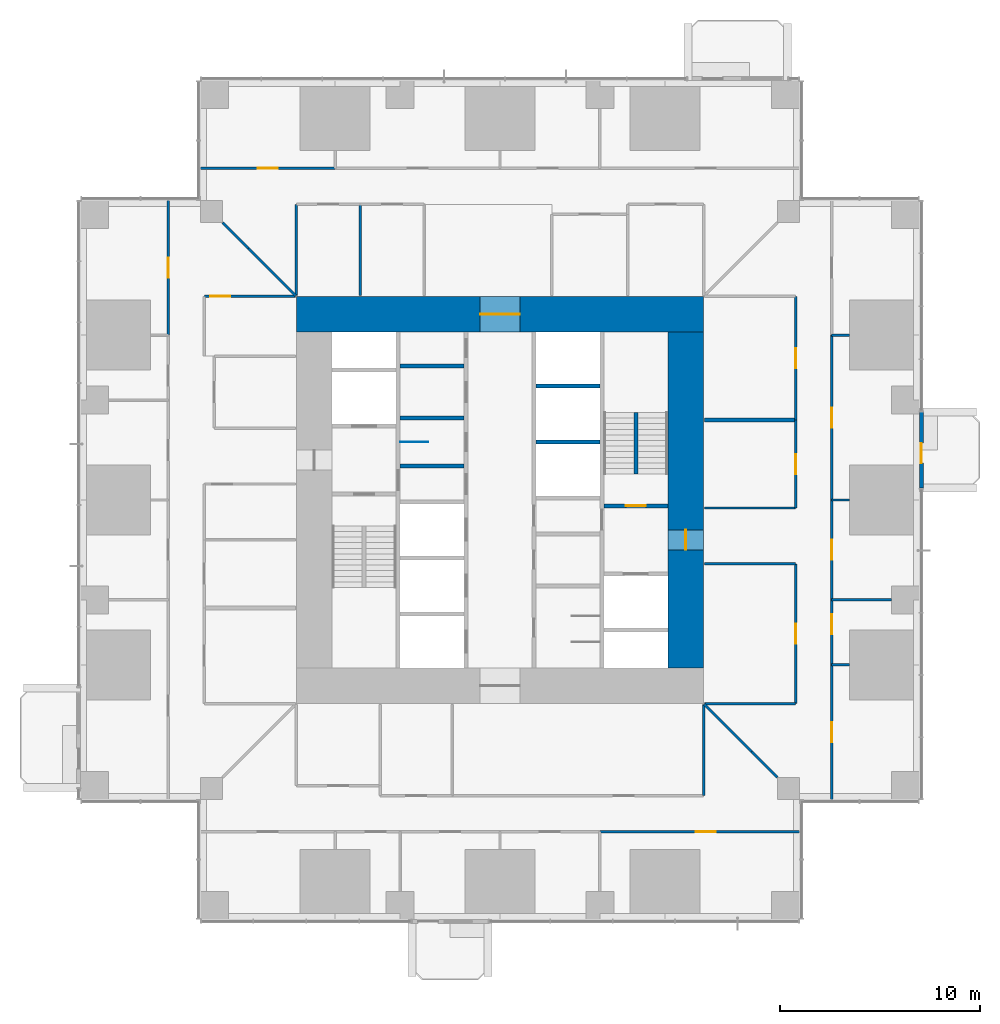
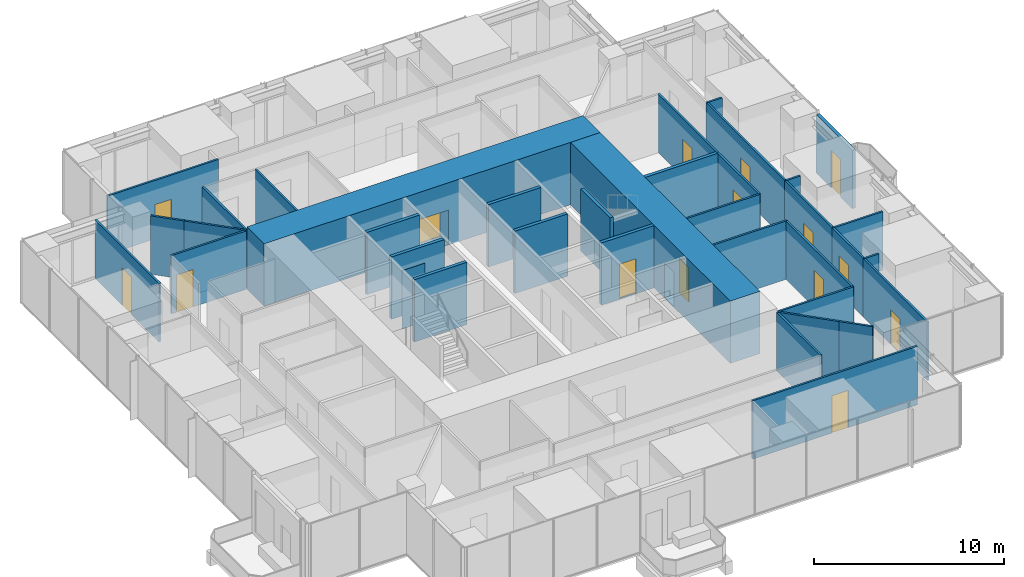
# One storey, part 13 of 18: 37 walls, 15 doors, 15 openings.
"""IFC4 building model written with IfcOpenShell, lengths in metres."""

from ifc_helpers import new_model, si_unit, direction, frame, frame_2d, origin, place, context, subcontext, project, spatial, rectangle, extrude, material, layer, layer_set, type_object, element, fill, save


model = new_model("IFC4")

# Units and contexts
model_context = context("Model", 3, precision=1e-05, world=origin(), true_north=direction((0.0, 1.0)))
body_context = subcontext(model_context, "Body", "Model", "MODEL_VIEW")
ifc_project = project(units=[si_unit("LENGTHUNIT", "METRE"), si_unit("AREAUNIT", "SQUARE_METRE"), si_unit("VOLUMEUNIT", "CUBIC_METRE"), si_unit("PLANEANGLEUNIT", "RADIAN"), si_unit("MASSUNIT", "GRAM", prefix="KILO")], contexts=[model_context])

# Site, building, storey
site_placement = place(None, origin())
site = spatial("IfcSite", under=ifc_project, at=site_placement, CompositionType="ELEMENT")
building_placement = place(site_placement, origin())
building = spatial("IfcBuilding", under=site, at=building_placement, Name="Svetlomir Tower", CompositionType="ELEMENT")
storey_placement = place(building_placement, frame((0.0, 0.0, 78.5)))
storey = spatial("IfcBuildingStorey", under=building, at=storey_placement, Name="L18", CompositionType="ELEMENT", Elevation=78.5)

# Wall
ifc_material_1 = material(Name="Gypsum board on twin steel studs", Category="steel")
ifc_layer_1 = layer(ifc_material_1, 0.199951171875)
ifc_layer_set_1 = layer_set([ifc_layer_1], Name="Gypsum board on twin steel studs")
wall_type_1 = type_object("IfcWallType", Name="ACOUSTIC PARTITION 200", PredefinedType="PARTITIONING", material=ifc_layer_set_1)
wall_1_placement = place(storey_placement, frame((31.25, 25.0, 0.0), z_axis=(0.0, 0.0, 1.0), x_axis=(1.0, 0.0, 0.0)))
element("IfcWall", 1, at=wall_1_placement, inside=storey, type_object=wall_type_1, Name="Acoustic partition L18", PredefinedType="PARTITIONING", context=body_context, shape_type="SweptSolid", body=[
    extrude(rectangle(XDim=4.550048828125, YDim=0.199951171875, at=frame_2d((2.27490234375, 0.0))), origin(), (0.0, 0.0, 1.0), 3.75),
])

# Wall, opening, door
ifc_material_2 = material(Name="Bronze anodised aluminium glazed screen", Category="aluminium")
ifc_layer_2 = layer(ifc_material_2, 0.199951171875)
ifc_layer_set_2 = layer_set([ifc_layer_2], Name="Bronze anodised aluminium glazed screen")
wall_type_2 = type_object("IfcWallType", Name="BALCONY SCREEN WALL 200", PredefinedType="USERDEFINED", material=ifc_layer_set_2)
wall_2_placement = place(storey_placement, frame((42.10009765625, 21.60009765625, 0.0), z_axis=(0.0, 0.0, 1.0), x_axis=(0.0, 1.0, 0.0)))
wall_2 = element("IfcWall", 2, at=wall_2_placement, inside=storey, type_object=wall_type_2, Name="Balcony screen E", ObjectType="GLAZED SCREEN", PredefinedType="USERDEFINED", context=body_context, shape_type="SweptSolid", body=[
    extrude(rectangle(XDim=3.7998046875, YDim=0.199951171875, at=frame_2d((1.89990234375, 0.0))), origin(), (0.0, 0.0, 1.0), 3.75),
])
opening_1_placement = place(wall_2_placement, frame((1.25, 0.0, 0.0)))
opening_1 = element("IfcOpeningElement", 3, at=opening_1_placement, cuts=wall_2, Name="Opening BD", PredefinedType="OPENING", context=body_context, shape_type="SweptSolid", body=[
    extrude(rectangle(XDim=1.0, YDim=2.39990234375, at=frame_2d((0.5, 1.199951171875))), frame((0.0, 0.10986328125, 0.0), z_axis=(0.0, -1.0, 0.0), x_axis=(1.0, 0.0, 0.0)), (0.0, 0.0, 1.0), 0.219970703125),
])
ifc_material_3 = material(Name="Bronze anodised aluminium glazed door", Category="aluminium")
door_type_1 = type_object("IfcDoorType", Name="BALCONY DOOR BD 1000x2400", OperationType="SINGLE_SWING_LEFT", PredefinedType="DOOR", material=ifc_material_3)
door_1_placement = place(opening_1_placement, origin())
door_1 = element("IfcDoor", 4, at=door_1_placement, inside=storey, type_object=door_type_1, Name="Balcony screen E door", OperationType="SINGLE_SWING_LEFT", OverallHeight=2.39990234375, OverallWidth=1.0, PredefinedType="DOOR", context=body_context, shape_type="SweptSolid", body=[
    extrude(rectangle(XDim=1.0, YDim=2.39990234375, at=frame_2d((0.5, 1.199951171875))), frame((0.0, 0.02490234375, 0.0), z_axis=(0.0, -1.0, 0.0), x_axis=(1.0, 0.0, 0.0)), (0.0, 0.0, 1.0), 0.050048828125),
])
fill(opening_1, door_1)

# Walls
ifc_material_4 = material(Name="Concrete C60/75", Category="concrete")
ifc_layer_3 = layer(ifc_material_4, 0.199951171875)
ifc_layer_set_3 = layer_set([ifc_layer_3], Name="Concrete C60/75")
wall_type_3 = type_object("IfcWallType", Name="CORE INNER WALL 200", PredefinedType="SHEAR", material=ifc_layer_set_3)
for number, where, z_axis, x_axis, name in (
    (5, (16.0, 22.699951171875, -0.050048828125), (0.0, 0.0, 1.0), (1.0, 0.0, 0.0), "Core inner wall 16-19.2/22.7 L18"),
    (6, (16.0, 25.10009765625, -0.050048828125), (0.0, 0.0, 1.0), (1.0, 0.0, 0.0), "Core inner wall 16-19.2/25.1 L18"),
    (7, (16.0, 27.699951171875, -0.050048828125), (0.0, 0.0, 1.0), (1.0, 0.0, 0.0), "Core inner wall 16-19.2/27.7 L18"),
    (8, (22.800048828125, 23.89990234375, -0.050048828125), (0.0, 0.0, 1.0), (1.0, 0.0, 0.0), "Core inner wall 22.8-26/23.9 L18"),
    (9, (22.800048828125, 26.699951171875, -0.050048828125), (0.0, 0.0, 1.0), (1.0, 0.0, 0.0), "Core inner wall 22.8-26/26.7 L18"),
):
    element("IfcWall", number, at=place(storey_placement, frame(where, z_axis=z_axis, x_axis=x_axis)), inside=storey, type_object=wall_type_3, Name=name, PredefinedType="SHEAR", context=body_context, shape_type="SweptSolid", body=[
        extrude(rectangle(XDim=3.199951171875, YDim=0.199951171875, at=frame_2d((1.60009765625, 0.0))), origin(), (0.0, 0.0, 1.0), 4.0),
    ])

# Wall, opening, door
wall_3_placement = place(storey_placement, frame((26.199951171875, 20.699951171875, -0.050048828125), z_axis=(0.0, 0.0, 1.0), x_axis=(1.0, 0.0, 0.0)))
wall_3 = element("IfcWall", 10, at=wall_3_placement, inside=storey, type_object=wall_type_3, Name="Core inner wall 26.2-29.4/20.7 L18", PredefinedType="SHEAR", context=body_context, shape_type="SweptSolid", body=[
    extrude(rectangle(XDim=3.199951171875, YDim=0.199951171875, at=frame_2d((1.60009765625, 0.0))), origin(), (0.0, 0.0, 1.0), 4.0),
])
opening_2_placement = place(wall_3_placement, frame((1.10009765625, 0.0, 0.050048828125)))
opening_2 = element("IfcOpeningElement", 11, at=opening_2_placement, cuts=wall_3, Name="Opening DF", PredefinedType="OPENING", context=body_context, shape_type="SweptSolid", body=[
    extrude(rectangle(XDim=1.0, YDim=2.199951171875, at=frame_2d((0.5, 1.10009765625))), frame((0.0, 0.10986328125, 0.0), z_axis=(0.0, -1.0, 0.0), x_axis=(1.0, 0.0, 0.0)), (0.0, 0.0, 1.0), 0.219970703125),
])
ifc_material_5 = material(Name="Steel fire door", Category="steel")
door_type_2 = type_object("IfcDoorType", Name="DOOR DF 1000x2200", OperationType="SINGLE_SWING_LEFT", PredefinedType="DOOR", material=ifc_material_5)
door_2_placement = place(opening_2_placement, origin())
door_2 = element("IfcDoor", 12, at=door_2_placement, inside=storey, type_object=door_type_2, Name="Stair S2 door L18", OperationType="SINGLE_SWING_RIGHT", OverallHeight=2.199951171875, OverallWidth=1.0, PredefinedType="DOOR", context=body_context, shape_type="SweptSolid", body=[
    extrude(rectangle(XDim=1.0, YDim=2.199951171875, at=frame_2d((0.5, 1.10009765625))), frame((0.0, 0.02490234375, 0.0), z_axis=(0.0, -1.0, 0.0), x_axis=(1.0, 0.0, 0.0)), (0.0, 0.0, 1.0), 0.050048828125),
])
fill(opening_2, door_2)

ifc_material_6 = material(Name="Concrete C60/75", Category="concrete")
ifc_layer_4 = layer(ifc_material_6, 1.800048828125)
ifc_layer_set_4 = layer_set([ifc_layer_4], Name="Concrete C60/75")
wall_type_4 = type_object("IfcWallType", Name="CORE WALL 1800", PredefinedType="SHEAR", material=ifc_layer_set_4)
wall_4_placement = place(storey_placement, frame((10.800048828125, 30.300048828125, -0.050048828125), z_axis=(0.0, 0.0, 1.0), x_axis=(1.0, 0.0, 0.0)))
wall_4 = element("IfcWall", 13, at=wall_4_placement, inside=storey, type_object=wall_type_4, Name="Core wall north L18", PredefinedType="SHEAR", context=body_context, shape_type="SweptSolid", body=[
    extrude(rectangle(XDim=20.39990234375, YDim=1.800048828125, at=frame_2d((10.199951171875, 0.0))), origin(), (0.0, 0.0, 1.0), 4.0),
])
opening_3_placement = place(wall_4_placement, frame((9.199951171875, 0.0, 0.050048828125)))
opening_3 = element("IfcOpeningElement", 14, at=opening_3_placement, cuts=wall_4, Name="Opening DL", PredefinedType="OPENING", context=body_context, shape_type="SweptSolid", body=[
    extrude(rectangle(XDim=2.0, YDim=2.199951171875, at=frame_2d((1.0, 1.10009765625))), frame((0.0, 0.91015625, 0.0), z_axis=(0.0, -1.0, 0.0), x_axis=(1.0, 0.0, 0.0)), (0.0, 0.0, 1.0), 1.820068359375),
])
ifc_material_7 = material(Name="Steel fire door", Category="steel")
door_type_3 = type_object("IfcDoorType", Name="DOOR DL 2000x2200", OperationType="DOUBLE_DOOR_SINGLE_SWING", PredefinedType="DOOR", material=ifc_material_7)
door_3_placement = place(opening_3_placement, origin())
door_3 = element("IfcDoor", 15, at=door_3_placement, inside=storey, type_object=door_type_3, Name="Lift lobby north door L18", OperationType="DOUBLE_DOOR_SINGLE_SWING", OverallHeight=2.199951171875, OverallWidth=2.0, PredefinedType="DOOR", context=body_context, shape_type="SweptSolid", body=[
    extrude(rectangle(XDim=2.0, YDim=2.199951171875, at=frame_2d((1.0, 1.10009765625))), frame((0.0, 0.02490234375, 0.0), z_axis=(0.0, -1.0, 0.0), x_axis=(1.0, 0.0, 0.0)), (0.0, 0.0, 1.0), 0.050048828125),
])
fill(opening_3, door_3)

wall_5_placement = place(storey_placement, frame((30.300048828125, 12.60009765625, -0.050048828125), z_axis=(0.0, 0.0, 1.0), x_axis=(0.0, 1.0, 0.0)))
wall_5 = element("IfcWall", 16, at=wall_5_placement, inside=storey, type_object=wall_type_4, Name="Core wall east L18", PredefinedType="SHEAR", context=body_context, shape_type="SweptSolid", body=[
    extrude(rectangle(XDim=16.7998046875, YDim=1.800048828125, at=frame_2d((8.39990234375, 0.0))), origin(), (0.0, 0.0, 1.0), 4.0),
])
opening_4_placement = place(wall_5_placement, frame((5.89990234375, 0.0, 0.050048828125)))
opening_4 = element("IfcOpeningElement", 17, at=opening_4_placement, cuts=wall_5, Name="Opening DF", PredefinedType="OPENING", context=body_context, shape_type="SweptSolid", body=[
    extrude(rectangle(XDim=1.0, YDim=2.199951171875, at=frame_2d((0.5, 1.10009765625))), frame((0.0, 0.91015625, 0.0), z_axis=(0.0, -1.0, 0.0), x_axis=(1.0, 0.0, 0.0)), (0.0, 0.0, 1.0), 1.820068359375),
])
door_4_placement = place(opening_4_placement, origin())
door_4 = element("IfcDoor", 18, at=door_4_placement, inside=storey, type_object=door_type_2, Name="Firefighting lobby east door L18", OperationType="SINGLE_SWING_RIGHT", OverallHeight=2.199951171875, OverallWidth=1.0, PredefinedType="DOOR", context=body_context, shape_type="SweptSolid", body=[
    extrude(rectangle(XDim=1.0, YDim=2.199951171875, at=frame_2d((0.5, 1.10009765625))), frame((0.0, 0.02490234375, 0.0), z_axis=(0.0, -1.0, 0.0), x_axis=(1.0, 0.0, 0.0)), (0.0, 0.0, 1.0), 0.050048828125),
])
fill(opening_4, door_4)

ifc_material_8 = material(Name="Gypsum board on steel studs", Category="steel")
ifc_layer_5 = layer(ifc_material_8, 0.1201171875)
ifc_layer_set_5 = layer_set([ifc_layer_5], Name="Gypsum board on steel studs")
wall_type_5 = type_object("IfcWallType", Name="PARTITION 120", PredefinedType="PARTITIONING", material=ifc_layer_set_5)
wall_6_placement = place(storey_placement, frame((4.39990234375, 29.25, 0.0), z_axis=(0.0, 0.0, 1.0), x_axis=(0.0, 1.0, 0.0)))
wall_6 = element("IfcWall", 19, at=wall_6_placement, inside=storey, type_object=wall_type_5, Name="Partition L18", PredefinedType="PARTITIONING", context=body_context, shape_type="SweptSolid", body=[
    extrude(rectangle(XDim=6.75, YDim=0.1201171875, at=frame_2d((3.375, 0.0))), origin(), (0.0, 0.0, 1.0), 3.75),
])
opening_5_placement = place(wall_6_placement, frame((2.875, 0.0, 0.0)))
opening_5 = element("IfcOpeningElement", 20, at=opening_5_placement, cuts=wall_6, Name="Opening DG", PredefinedType="OPENING", context=body_context, shape_type="SweptSolid", body=[
    extrude(rectangle(XDim=1.0, YDim=2.39990234375, at=frame_2d((0.5, 1.199951171875))), frame((0.0, 0.070068359375, 0.0), z_axis=(0.0, -1.0, 0.0), x_axis=(1.0, 0.0, 0.0)), (0.0, 0.0, 1.0), 0.14013671875),
])
ifc_material_9 = material(Name="Framed laminated glass door", Category="glass")
door_type_4 = type_object("IfcDoorType", Name="GLAZED DOOR DG 1000x2400", OperationType="SINGLE_SWING_LEFT", PredefinedType="DOOR", material=ifc_material_9)
door_5_placement = place(opening_5_placement, origin())
door_5 = element("IfcDoor", 21, at=door_5_placement, inside=storey, type_object=door_type_4, Name="Ring corridor 3 door 3 L18", OperationType="SINGLE_SWING_LEFT", OverallHeight=2.39990234375, OverallWidth=1.0, PredefinedType="DOOR", context=body_context, shape_type="SweptSolid", body=[
    extrude(rectangle(XDim=1.0, YDim=2.39990234375, at=frame_2d((0.5, 1.199951171875))), frame((0.0, 0.02490234375, 0.0), z_axis=(0.0, -1.0, 0.0), x_axis=(1.0, 0.0, 0.0)), (0.0, 0.0, 1.0), 0.050048828125),
])
fill(opening_5, door_5)

wall_7_placement = place(storey_placement, frame((6.0, 37.60009765625, 0.0), z_axis=(0.0, 0.0, 1.0), x_axis=(1.0, 0.0, 0.0)))
wall_7 = element("IfcWall", 22, at=wall_7_placement, inside=storey, type_object=wall_type_5, Name="Partition L18", PredefinedType="PARTITIONING", context=body_context, shape_type="SweptSolid", body=[
    extrude(rectangle(XDim=6.75, YDim=0.1201171875, at=frame_2d((3.375, 0.0))), origin(), (0.0, 0.0, 1.0), 3.75),
])
opening_6_placement = place(wall_7_placement, frame((2.875, 0.0, 0.0)))
opening_6 = element("IfcOpeningElement", 23, at=opening_6_placement, cuts=wall_7, Name="Opening DR", PredefinedType="OPENING", context=body_context, shape_type="SweptSolid", body=[
    extrude(rectangle(XDim=1.0, YDim=2.199951171875, at=frame_2d((0.5, 1.10009765625))), frame((0.0, 0.070068359375, 0.0), z_axis=(0.0, -1.0, 0.0), x_axis=(1.0, 0.0, 0.0)), (0.0, 0.0, 1.0), 0.14013671875),
])
ifc_material_10 = material(Name="Timber door, glazed side light", Category="wood")
door_type_5 = type_object("IfcDoorType", Name="DOOR DR 1000x2200", OperationType="SINGLE_SWING_LEFT", PredefinedType="DOOR", material=ifc_material_10)
door_6_placement = place(opening_6_placement, origin())
door_6 = element("IfcDoor", 24, at=door_6_placement, inside=storey, type_object=door_type_5, Name="Compliance analysts office door L18", OperationType="SINGLE_SWING_RIGHT", OverallHeight=2.199951171875, OverallWidth=1.0, PredefinedType="DOOR", context=body_context, shape_type="SweptSolid", body=[
    extrude(rectangle(XDim=1.0, YDim=2.199951171875, at=frame_2d((0.5, 1.10009765625))), frame((0.0, 0.02490234375, 0.0), z_axis=(0.0, -1.0, 0.0), x_axis=(1.0, 0.0, 0.0)), (0.0, 0.0, 1.0), 0.050048828125),
])
fill(opening_6, door_6)

wall_8_placement = place(storey_placement, frame((6.199951171875, 31.199951171875, 0.0), z_axis=(0.0, 0.0, 1.0), x_axis=(1.0, 0.0, 0.0)))
wall_8 = element("IfcWall", 25, at=wall_8_placement, inside=storey, type_object=wall_type_5, Name="Partition L18", PredefinedType="PARTITIONING", context=body_context, shape_type="SweptSolid", body=[
    extrude(rectangle(XDim=4.550048828125, YDim=0.1201171875, at=frame_2d((2.27490234375, 0.0))), origin(), (0.0, 0.0, 1.0), 3.75),
])
opening_7_placement = place(wall_8_placement, frame((0.300048828125, 0.0, 0.0)))
opening_7 = element("IfcOpeningElement", 26, at=opening_7_placement, cuts=wall_8, Name="Opening DG", PredefinedType="OPENING", context=body_context, shape_type="SweptSolid", body=[
    extrude(rectangle(XDim=1.0, YDim=2.39990234375, at=frame_2d((0.5, 1.199951171875))), frame((0.0, 0.070068359375, 0.0), z_axis=(0.0, -1.0, 0.0), x_axis=(1.0, 0.0, 0.0)), (0.0, 0.0, 1.0), 0.14013671875),
])
door_7_placement = place(opening_7_placement, origin())
door_7 = element("IfcDoor", 27, at=door_7_placement, inside=storey, type_object=door_type_4, Name="Ring corridor 3 door 4 L18", OperationType="SINGLE_SWING_LEFT", OverallHeight=2.39990234375, OverallWidth=1.0, PredefinedType="DOOR", context=body_context, shape_type="SweptSolid", body=[
    extrude(rectangle(XDim=1.0, YDim=2.39990234375, at=frame_2d((0.5, 1.199951171875))), frame((0.0, 0.02490234375, 0.0), z_axis=(0.0, -1.0, 0.0), x_axis=(1.0, 0.0, 0.0)), (0.0, 0.0, 1.0), 0.050048828125),
])
fill(opening_7, door_7)

# Walls
wall_9_placement = place(storey_placement, frame((7.110107421875, 34.889892578125, 0.0), z_axis=(0.0, 0.0, 1.0), x_axis=(0.707106781187, -0.707106781187, 0.0)))
element("IfcWall", 28, at=wall_9_placement, inside=storey, type_object=wall_type_5, Name="Partition L18", PredefinedType="PARTITIONING", context=body_context, shape_type="SweptSolid", body=[
    extrude(rectangle(XDim=1.822021484375, YDim=0.1201171875, at=frame_2d((0.9111328125, 0.0))), origin(), (0.0, 0.0, 1.0), 3.75),
])
wall_10_placement = place(storey_placement, frame((8.3984375, 33.6015625, 0.0), z_axis=(0.0, 0.0, 1.0), x_axis=(0.707106781187, -0.707106781187, 0.0)))
element("IfcWall", 29, at=wall_10_placement, inside=storey, type_object=wall_type_5, Name="Partition L18", PredefinedType="PARTITIONING", context=body_context, shape_type="SweptSolid", body=[
    extrude(rectangle(XDim=3.346435546875, YDim=0.1201171875, at=frame_2d((1.67333984375, 0.0))), origin(), (0.0, 0.0, 1.0), 3.75),
])
for number, where, z_axis, x_axis, name in (
    (30, (10.800048828125, 31.25, 0.0), (0.0, 0.0, 1.0), (0.0, 1.0, 0.0), "Partition L18"),
    (31, (14.0, 31.25, 0.0), (0.0, 0.0, 1.0), (0.0, 1.0, 0.0), "Partition L18"),
):
    element("IfcWall", number, at=place(storey_placement, frame(where, z_axis=z_axis, x_axis=x_axis)), inside=storey, type_object=wall_type_5, Name=name, PredefinedType="PARTITIONING", context=body_context, shape_type="SweptSolid", body=[
        extrude(rectangle(XDim=4.550048828125, YDim=0.1201171875, at=frame_2d((2.27490234375, 0.0))), origin(), (0.0, 0.0, 1.0), 3.75),
    ])

# Wall, opening, door
wall_11_placement = place(storey_placement, frame((26.0, 4.39990234375, 0.0), z_axis=(0.0, 0.0, 1.0), x_axis=(1.0, 0.0, 0.0)))
wall_11 = element("IfcWall", 32, at=wall_11_placement, inside=storey, type_object=wall_type_5, Name="Partition L18", PredefinedType="PARTITIONING", context=body_context, shape_type="SweptSolid", body=[
    extrude(rectangle(XDim=10.0, YDim=0.1201171875, at=frame_2d((5.0, 0.0))), origin(), (0.0, 0.0, 1.0), 3.75),
])
opening_8_placement = place(wall_11_placement, frame((4.800048828125, 0.0, 0.0)))
opening_8 = element("IfcOpeningElement", 33, at=opening_8_placement, cuts=wall_11, Name="Opening DG", PredefinedType="OPENING", context=body_context, shape_type="SweptSolid", body=[
    extrude(rectangle(XDim=1.0, YDim=2.39990234375, at=frame_2d((0.5, 1.199951171875))), frame((0.0, 0.070068359375, 0.0), z_axis=(0.0, -1.0, 0.0), x_axis=(1.0, 0.0, 0.0)), (0.0, 0.0, 1.0), 0.14013671875),
])
door_8_placement = place(opening_8_placement, origin())
door_8 = element("IfcDoor", 34, at=door_8_placement, inside=storey, type_object=door_type_4, Name="Ring corridor 1 door 2 L18", OperationType="SINGLE_SWING_LEFT", OverallHeight=2.39990234375, OverallWidth=1.0, PredefinedType="DOOR", context=body_context, shape_type="SweptSolid", body=[
    extrude(rectangle(XDim=1.0, YDim=2.39990234375, at=frame_2d((0.5, 1.199951171875))), frame((0.0, 0.02490234375, 0.0), z_axis=(0.0, -1.0, 0.0), x_axis=(1.0, 0.0, 0.0)), (0.0, 0.0, 1.0), 0.050048828125),
])
fill(opening_8, door_8)

# Walls
wall_12_placement = place(storey_placement, frame((31.199951171875, 6.199951171875, 0.0), z_axis=(0.0, 0.0, 1.0), x_axis=(0.0, 1.0, 0.0)))
element("IfcWall", 35, at=wall_12_placement, inside=storey, type_object=wall_type_5, Name="Partition L18", PredefinedType="PARTITIONING", context=body_context, shape_type="SweptSolid", body=[
    extrude(rectangle(XDim=4.550048828125, YDim=0.1201171875, at=frame_2d((2.27490234375, 0.0))), origin(), (0.0, 0.0, 1.0), 3.75),
])
wall_13_placement = place(storey_placement, frame((31.2353515625, 10.7646484375, 0.0), z_axis=(0.0, 0.0, 1.0), x_axis=(0.707106781187, -0.707106781187, 0.0)))
element("IfcWall", 36, at=wall_13_placement, inside=storey, type_object=wall_type_5, Name="Partition L18", PredefinedType="PARTITIONING", context=body_context, shape_type="SweptSolid", body=[
    extrude(rectangle(XDim=3.346435546875, YDim=0.1201171875, at=frame_2d((1.67333984375, 0.0))), origin(), (0.0, 0.0, 1.0), 3.75),
])
for number, where, z_axis, x_axis, name in (
    (37, (31.25, 10.800048828125, 0.0), (0.0, 0.0, 1.0), (1.0, 0.0, 0.0), "Partition L18"),
    (38, (31.25, 17.800048828125, 0.0), (0.0, 0.0, 1.0), (1.0, 0.0, 0.0), "Partition L18"),
    (39, (31.25, 20.60009765625, 0.0), (0.0, 0.0, 1.0), (1.0, 0.0, 0.0), "Partition L18"),
):
    element("IfcWall", number, at=place(storey_placement, frame(where, z_axis=z_axis, x_axis=x_axis)), inside=storey, type_object=wall_type_5, Name=name, PredefinedType="PARTITIONING", context=body_context, shape_type="SweptSolid", body=[
        extrude(rectangle(XDim=4.550048828125, YDim=0.1201171875, at=frame_2d((2.27490234375, 0.0))), origin(), (0.0, 0.0, 1.0), 3.75),
    ])
wall_14_placement = place(storey_placement, frame((33.6015625, 8.3984375, 0.0), z_axis=(0.0, 0.0, 1.0), x_axis=(0.707106781187, -0.707106781187, 0.0)))
element("IfcWall", 40, at=wall_14_placement, inside=storey, type_object=wall_type_5, Name="Partition L18", PredefinedType="PARTITIONING", context=body_context, shape_type="SweptSolid", body=[
    extrude(rectangle(XDim=1.822021484375, YDim=0.1201171875, at=frame_2d((0.9111328125, 0.0))), origin(), (0.0, 0.0, 1.0), 3.75),
])

# Wall, opening, door
wall_15_placement = place(storey_placement, frame((35.800048828125, 10.800048828125, 0.0), z_axis=(0.0, 0.0, 1.0), x_axis=(0.0, 1.0, 0.0)))
wall_15 = element("IfcWall", 41, at=wall_15_placement, inside=storey, type_object=wall_type_5, Name="Partition L18", PredefinedType="PARTITIONING", context=body_context, shape_type="SweptSolid", body=[
    extrude(rectangle(XDim=7.0, YDim=0.1201171875, at=frame_2d((3.5, 0.0))), origin(), (0.0, 0.0, 1.0), 3.75),
])
opening_9_placement = place(wall_15_placement, frame((3.0, 0.0, 0.0)))
opening_9 = element("IfcOpeningElement", 42, at=opening_9_placement, cuts=wall_15, Name="Opening DG", PredefinedType="OPENING", context=body_context, shape_type="SweptSolid", body=[
    extrude(rectangle(XDim=1.0, YDim=2.39990234375, at=frame_2d((0.5, 1.199951171875))), frame((0.0, 0.070068359375, 0.0), z_axis=(0.0, -1.0, 0.0), x_axis=(1.0, 0.0, 0.0)), (0.0, 0.0, 1.0), 0.14013671875),
])
door_9_placement = place(opening_9_placement, origin())
door_9 = element("IfcDoor", 43, at=door_9_placement, inside=storey, type_object=door_type_4, Name="Ring corridor 2 door 3 L18", OperationType="SINGLE_SWING_RIGHT", OverallHeight=2.39990234375, OverallWidth=1.0, PredefinedType="DOOR", context=body_context, shape_type="SweptSolid", body=[
    extrude(rectangle(XDim=1.0, YDim=2.39990234375, at=frame_2d((0.5, 1.199951171875))), frame((0.0, 0.02490234375, 0.0), z_axis=(0.0, -1.0, 0.0), x_axis=(1.0, 0.0, 0.0)), (0.0, 0.0, 1.0), 0.050048828125),
])
fill(opening_9, door_9)

wall_16_placement = place(storey_placement, frame((35.800048828125, 20.60009765625, 0.0), z_axis=(0.0, 0.0, 1.0), x_axis=(0.0, 1.0, 0.0)))
wall_16 = element("IfcWall", 44, at=wall_16_placement, inside=storey, type_object=wall_type_5, Name="Partition L18", PredefinedType="PARTITIONING", context=body_context, shape_type="SweptSolid", body=[
    extrude(rectangle(XDim=4.39990234375, YDim=0.1201171875, at=frame_2d((2.199951171875, 0.0))), origin(), (0.0, 0.0, 1.0), 3.75),
])
opening_10_placement = place(wall_16_placement, frame((1.699951171875, 0.0, 0.0)))
opening_10 = element("IfcOpeningElement", 45, at=opening_10_placement, cuts=wall_16, Name="Opening DG", PredefinedType="OPENING", context=body_context, shape_type="SweptSolid", body=[
    extrude(rectangle(XDim=1.0, YDim=2.39990234375, at=frame_2d((0.5, 1.199951171875))), frame((0.0, 0.070068359375, 0.0), z_axis=(0.0, -1.0, 0.0), x_axis=(1.0, 0.0, 0.0)), (0.0, 0.0, 1.0), 0.14013671875),
])
door_10_placement = place(opening_10_placement, origin())
door_10 = element("IfcDoor", 46, at=door_10_placement, inside=storey, type_object=door_type_4, Name="Meeting room, 8 seats door L18", OperationType="SINGLE_SWING_LEFT", OverallHeight=2.39990234375, OverallWidth=1.0, PredefinedType="DOOR", context=body_context, shape_type="SweptSolid", body=[
    extrude(rectangle(XDim=1.0, YDim=2.39990234375, at=frame_2d((0.5, 1.199951171875))), frame((0.0, 0.02490234375, 0.0), z_axis=(0.0, -1.0, 0.0), x_axis=(1.0, 0.0, 0.0)), (0.0, 0.0, 1.0), 0.050048828125),
])
fill(opening_10, door_10)

wall_17_placement = place(storey_placement, frame((35.800048828125, 25.0, 0.0), z_axis=(0.0, 0.0, 1.0), x_axis=(0.0, 1.0, 0.0)))
wall_17 = element("IfcWall", 47, at=wall_17_placement, inside=storey, type_object=wall_type_5, Name="Partition L18", PredefinedType="PARTITIONING", context=body_context, shape_type="SweptSolid", body=[
    extrude(rectangle(XDim=6.199951171875, YDim=0.1201171875, at=frame_2d((3.10009765625, 0.0))), origin(), (0.0, 0.0, 1.0), 3.75),
])
opening_11_placement = place(wall_17_placement, frame((2.60009765625, 0.0, 0.0)))
opening_11 = element("IfcOpeningElement", 48, at=opening_11_placement, cuts=wall_17, Name="Opening DG", PredefinedType="OPENING", context=body_context, shape_type="SweptSolid", body=[
    extrude(rectangle(XDim=1.0, YDim=2.39990234375, at=frame_2d((0.5, 1.199951171875))), frame((0.0, 0.070068359375, 0.0), z_axis=(0.0, -1.0, 0.0), x_axis=(1.0, 0.0, 0.0)), (0.0, 0.0, 1.0), 0.14013671875),
])
door_11_placement = place(opening_11_placement, origin())
door_11 = element("IfcDoor", 49, at=door_11_placement, inside=storey, type_object=door_type_4, Name="Audit committee room, 12 seats door L18", OperationType="SINGLE_SWING_RIGHT", OverallHeight=2.39990234375, OverallWidth=1.0, PredefinedType="DOOR", context=body_context, shape_type="SweptSolid", body=[
    extrude(rectangle(XDim=1.0, YDim=2.39990234375, at=frame_2d((0.5, 1.199951171875))), frame((0.0, 0.02490234375, 0.0), z_axis=(0.0, -1.0, 0.0), x_axis=(1.0, 0.0, 0.0)), (0.0, 0.0, 1.0), 0.050048828125),
])
fill(opening_11, door_11)

wall_18_placement = place(storey_placement, frame((37.60009765625, 6.0, 0.0), z_axis=(0.0, 0.0, 1.0), x_axis=(0.0, 1.0, 0.0)))
wall_18 = element("IfcWall", 50, at=wall_18_placement, inside=storey, type_object=wall_type_5, Name="Partition L18", PredefinedType="PARTITIONING", context=body_context, shape_type="SweptSolid", body=[
    extrude(rectangle(XDim=6.75, YDim=0.1201171875, at=frame_2d((3.375, 0.0))), origin(), (0.0, 0.0, 1.0), 3.75),
])
opening_12_placement = place(wall_18_placement, frame((2.875, 0.0, 0.0)))
opening_12 = element("IfcOpeningElement", 51, at=opening_12_placement, cuts=wall_18, Name="Opening DR", PredefinedType="OPENING", context=body_context, shape_type="SweptSolid", body=[
    extrude(rectangle(XDim=1.0, YDim=2.199951171875, at=frame_2d((0.5, 1.10009765625))), frame((0.0, 0.070068359375, 0.0), z_axis=(0.0, -1.0, 0.0), x_axis=(1.0, 0.0, 0.0)), (0.0, 0.0, 1.0), 0.14013671875),
])
door_12_placement = place(opening_12_placement, origin())
door_12 = element("IfcDoor", 52, at=door_12_placement, inside=storey, type_object=door_type_5, Name="Internal auditor office door L18", OperationType="SINGLE_SWING_RIGHT", OverallHeight=2.199951171875, OverallWidth=1.0, PredefinedType="DOOR", context=body_context, shape_type="SweptSolid", body=[
    extrude(rectangle(XDim=1.0, YDim=2.199951171875, at=frame_2d((0.5, 1.10009765625))), frame((0.0, 0.02490234375, 0.0), z_axis=(0.0, -1.0, 0.0), x_axis=(1.0, 0.0, 0.0)), (0.0, 0.0, 1.0), 0.050048828125),
])
fill(opening_12, door_12)

wall_19_placement = place(storey_placement, frame((37.60009765625, 12.75, 0.0), z_axis=(0.0, 0.0, 1.0), x_axis=(0.0, 1.0, 0.0)))
wall_19 = element("IfcWall", 53, at=wall_19_placement, inside=storey, type_object=wall_type_5, Name="Partition L18", PredefinedType="PARTITIONING", context=body_context, shape_type="SweptSolid", body=[
    extrude(rectangle(XDim=3.25, YDim=0.1201171875, at=frame_2d((1.625, 0.0))), origin(), (0.0, 0.0, 1.0), 3.75),
])
opening_13_placement = place(wall_19_placement, frame((1.52490234375, 0.0, 0.0)))
opening_13 = element("IfcOpeningElement", 54, at=opening_13_placement, cuts=wall_19, Name="Opening DG", PredefinedType="OPENING", context=body_context, shape_type="SweptSolid", body=[
    extrude(rectangle(XDim=1.0, YDim=2.39990234375, at=frame_2d((0.5, 1.199951171875))), frame((0.0, 0.070068359375, 0.0), z_axis=(0.0, -1.0, 0.0), x_axis=(1.0, 0.0, 0.0)), (0.0, 0.0, 1.0), 0.14013671875),
])
door_13_placement = place(opening_13_placement, origin())
door_13 = element("IfcDoor", 55, at=door_13_placement, inside=storey, type_object=door_type_4, Name="Ring corridor 2 door 2 L18", OperationType="SINGLE_SWING_LEFT", OverallHeight=2.39990234375, OverallWidth=1.0, PredefinedType="DOOR", context=body_context, shape_type="SweptSolid", body=[
    extrude(rectangle(XDim=1.0, YDim=2.39990234375, at=frame_2d((0.5, 1.199951171875))), frame((0.0, 0.02490234375, 0.0), z_axis=(0.0, -1.0, 0.0), x_axis=(1.0, 0.0, 0.0)), (0.0, 0.0, 1.0), 0.050048828125),
])
fill(opening_13, door_13)

# Wall
wall_20_placement = place(storey_placement, frame((37.60009765625, 12.75, 0.0), z_axis=(0.0, 0.0, 1.0), x_axis=(1.0, 0.0, 0.0)))
element("IfcWall", 56, at=wall_20_placement, inside=storey, type_object=wall_type_5, Name="Partition L18", PredefinedType="PARTITIONING", context=body_context, shape_type="SweptSolid", body=[
    extrude(rectangle(XDim=0.889892578125, YDim=0.1201171875, at=frame_2d((0.44482421875, 0.0))), origin(), (0.0, 0.0, 1.0), 3.75),
])

# Wall, opening, door
wall_21_placement = place(storey_placement, frame((37.60009765625, 16.0, 0.0), z_axis=(0.0, 0.0, 1.0), x_axis=(0.0, 1.0, 0.0)))
wall_21 = element("IfcWall", 57, at=wall_21_placement, inside=storey, type_object=wall_type_5, Name="Partition L18", PredefinedType="PARTITIONING", context=body_context, shape_type="SweptSolid", body=[
    extrude(rectangle(XDim=5.0, YDim=0.1201171875, at=frame_2d((2.5, 0.0))), origin(), (0.0, 0.0, 1.0), 3.75),
])
opening_14_placement = place(wall_21_placement, frame((2.0, 0.0, 0.0)))
opening_14 = element("IfcOpeningElement", 58, at=opening_14_placement, cuts=wall_21, Name="Opening DR", PredefinedType="OPENING", context=body_context, shape_type="SweptSolid", body=[
    extrude(rectangle(XDim=1.0, YDim=2.199951171875, at=frame_2d((0.5, 1.10009765625))), frame((0.0, 0.070068359375, 0.0), z_axis=(0.0, -1.0, 0.0), x_axis=(1.0, 0.0, 0.0)), (0.0, 0.0, 1.0), 0.14013671875),
])
door_14_placement = place(opening_14_placement, origin())
door_14 = element("IfcDoor", 59, at=door_14_placement, inside=storey, type_object=door_type_5, Name="Compliance officer office door L18", OperationType="SINGLE_SWING_LEFT", OverallHeight=2.199951171875, OverallWidth=1.0, PredefinedType="DOOR", context=body_context, shape_type="SweptSolid", body=[
    extrude(rectangle(XDim=1.0, YDim=2.199951171875, at=frame_2d((0.5, 1.10009765625))), frame((0.0, 0.02490234375, 0.0), z_axis=(0.0, -1.0, 0.0), x_axis=(1.0, 0.0, 0.0)), (0.0, 0.0, 1.0), 0.050048828125),
])
fill(opening_14, door_14)

# Wall
wall_22_placement = place(storey_placement, frame((37.60009765625, 16.0, 0.0), z_axis=(0.0, 0.0, 1.0), x_axis=(1.0, 0.0, 0.0)))
element("IfcWall", 60, at=wall_22_placement, inside=storey, type_object=wall_type_5, Name="Partition L18", PredefinedType="PARTITIONING", context=body_context, shape_type="SweptSolid", body=[
    extrude(rectangle(XDim=2.989990234375, YDim=0.1201171875, at=frame_2d((1.4951171875, 0.0))), origin(), (0.0, 0.0, 1.0), 3.75),
])

# Wall, opening, door
wall_23_placement = place(storey_placement, frame((37.60009765625, 21.0, 0.0), z_axis=(0.0, 0.0, 1.0), x_axis=(0.0, 1.0, 0.0)))
wall_23 = element("IfcWall", 61, at=wall_23_placement, inside=storey, type_object=wall_type_5, Name="Partition L18", PredefinedType="PARTITIONING", context=body_context, shape_type="SweptSolid", body=[
    extrude(rectangle(XDim=8.25, YDim=0.1201171875, at=frame_2d((4.125, 0.0))), origin(), (0.0, 0.0, 1.0), 3.75),
])
opening_15_placement = place(wall_23_placement, frame((3.625, 0.0, 0.0)))
opening_15 = element("IfcOpeningElement", 62, at=opening_15_placement, cuts=wall_23, Name="Opening DG", PredefinedType="OPENING", context=body_context, shape_type="SweptSolid", body=[
    extrude(rectangle(XDim=1.0, YDim=2.39990234375, at=frame_2d((0.5, 1.199951171875))), frame((0.0, 0.070068359375, 0.0), z_axis=(0.0, -1.0, 0.0), x_axis=(1.0, 0.0, 0.0)), (0.0, 0.0, 1.0), 0.14013671875),
])
door_15_placement = place(opening_15_placement, origin())
door_15 = element("IfcDoor", 63, at=door_15_placement, inside=storey, type_object=door_type_4, Name="Ring corridor 2 door 1 L18", OperationType="SINGLE_SWING_RIGHT", OverallHeight=2.39990234375, OverallWidth=1.0, PredefinedType="DOOR", context=body_context, shape_type="SweptSolid", body=[
    extrude(rectangle(XDim=1.0, YDim=2.39990234375, at=frame_2d((0.5, 1.199951171875))), frame((0.0, 0.02490234375, 0.0), z_axis=(0.0, -1.0, 0.0), x_axis=(1.0, 0.0, 0.0)), (0.0, 0.0, 1.0), 0.050048828125),
])
fill(opening_15, door_15)

# Walls
for number, where, z_axis, x_axis, name in (
    (64, (37.60009765625, 21.0, 0.0), (0.0, 0.0, 1.0), (1.0, 0.0, 0.0), "Partition L18"),
    (65, (37.60009765625, 29.25, 0.0), (0.0, 0.0, 1.0), (1.0, 0.0, 0.0), "Partition L18"),
):
    element("IfcWall", number, at=place(storey_placement, frame(where, z_axis=z_axis, x_axis=x_axis)), inside=storey, type_object=wall_type_5, Name=name, PredefinedType="PARTITIONING", context=body_context, shape_type="SweptSolid", body=[
        extrude(rectangle(XDim=0.889892578125, YDim=0.1201171875, at=frame_2d((0.44482421875, 0.0))), origin(), (0.0, 0.0, 1.0), 3.75),
    ])
ifc_material_11 = material(Name="Concrete C60/75", Category="concrete")
ifc_layer_6 = layer(ifc_material_11, 0.199951171875)
ifc_layer_set_6 = layer_set([ifc_layer_6], Name="Concrete C60/75")
wall_type_6 = type_object("IfcWallType", Name="STAIR SPINE WALL 200", PredefinedType="PARTITIONING", material=ifc_layer_set_6)
wall_24_placement = place(storey_placement, frame((27.800048828125, 22.300048828125, 0.0), z_axis=(0.0, 0.0, 1.0), x_axis=(0.0, 1.0, 0.0)))
element("IfcWall", 66, at=wall_24_placement, inside=storey, type_object=wall_type_6, Name="Stair S2 spine wall L18", PredefinedType="PARTITIONING", context=body_context, shape_type="SweptSolid", body=[
    extrude(rectangle(XDim=3.079833984375, YDim=0.199951171875, at=frame_2d((1.5400390625, 0.0))), origin(), (0.0, 0.0, 1.0), 4.0),
])
ifc_material_12 = material(Name="Compact laminate panel", Category="plastic")
ifc_layer_7 = layer(ifc_material_12, 0.030029296875)
ifc_layer_set_7 = layer_set([ifc_layer_7], Name="Compact laminate panel")
wall_type_7 = type_object("IfcWallType", Name="WC CUBICLE PARTITION 30", PredefinedType="PARTITIONING", material=ifc_layer_set_7)
wall_25_placement = place(storey_placement, frame((16.0, 23.89990234375, 0.0), z_axis=(0.0, 0.0, 1.0), x_axis=(1.0, 0.0, 0.0)))
element("IfcWall", 67, at=wall_25_placement, inside=storey, type_object=wall_type_7, Name="WC cubicle partition L18", PredefinedType="PARTITIONING", context=body_context, shape_type="SweptSolid", body=[
    extrude(rectangle(XDim=1.39990234375, YDim=0.030029296875, at=frame_2d((0.699951171875, 0.0))), origin(), (0.0, 0.0, 1.0), 3.75),
])

save(model, "model.ifc")
